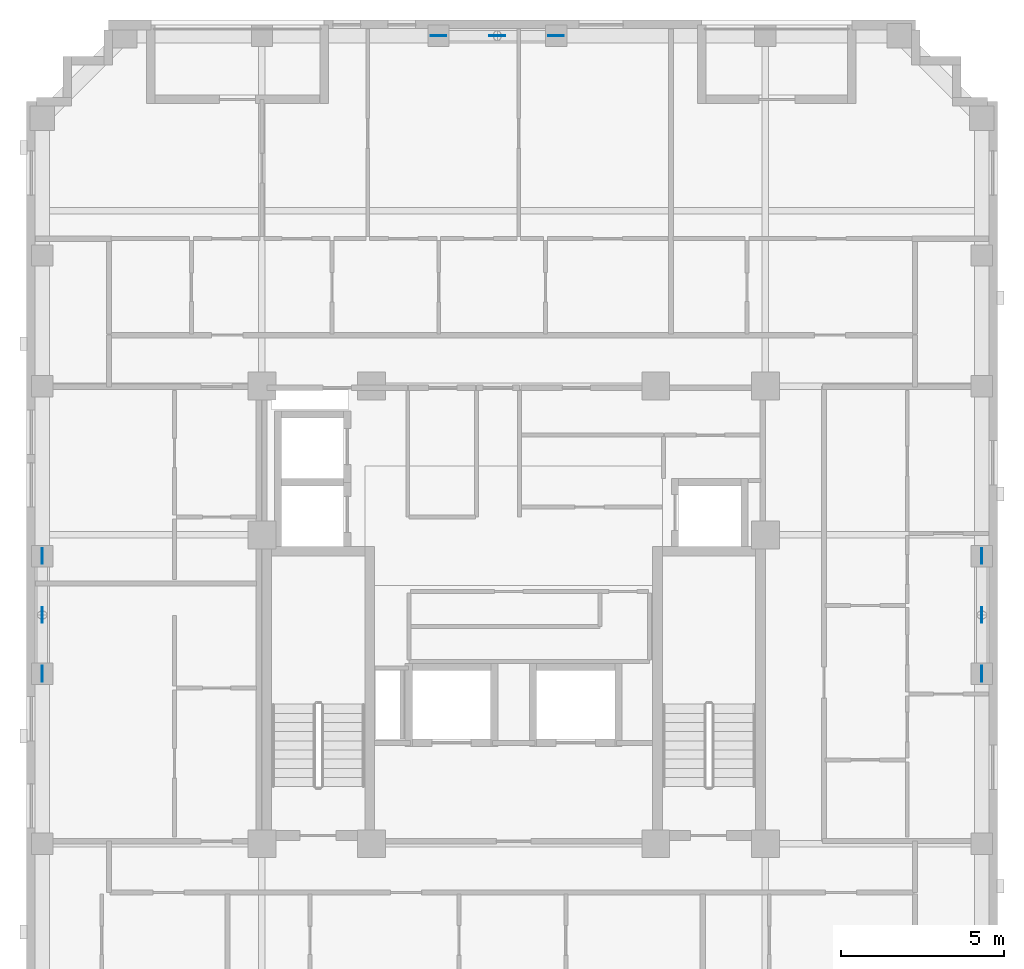
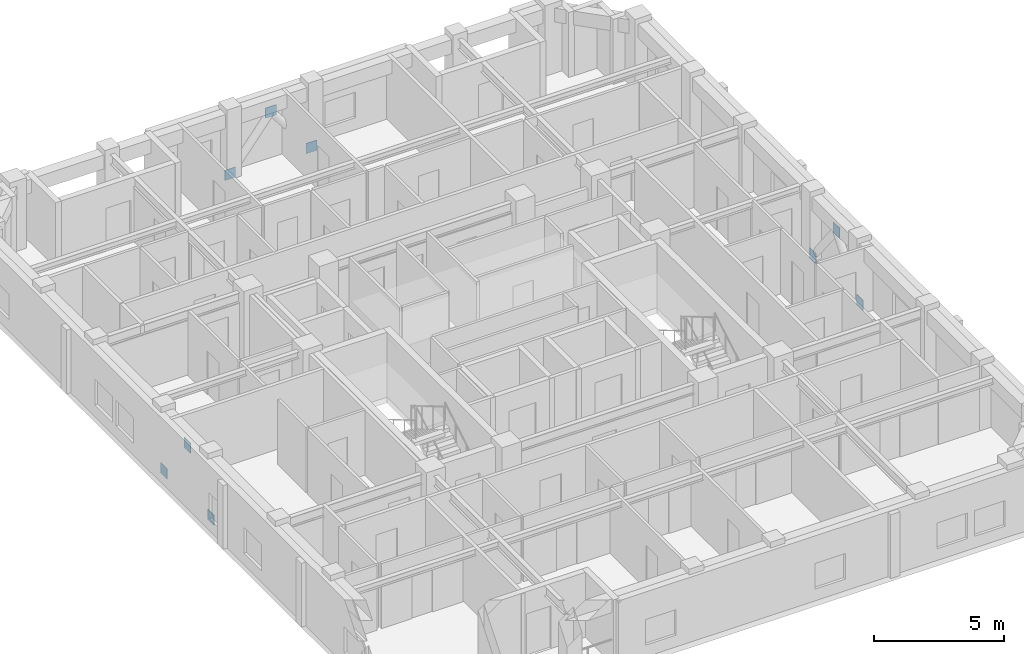
# One storey, part 8 of 10: 9 discrete accessories.
"""IFC4 building model written with IfcOpenShell, lengths in metres."""

import ifcopenshell
import ifcopenshell.guid

model = None  # the IFC model being written
_history = None  # IfcOwnerHistory: only IFC2X3 demands one
_inside = {}  # id of a spatial element -> (the spatial element, [elements in it])
_under = {}  # id of a project, library or spatial element -> (it, [spatial elements below it])
_declared = {}  # id of a project -> (the project, [libraries it declares])
_typed = {}  # id of a type object -> (the type object, [elements of that type])
_made_of = {}  # id of a material, layer set ... -> (it, [elements and type objects made of it])


def new_model(schema):
    """Start an empty IFC model of exactly this schema.

    Asked for "IFC4X3", IfcOpenShell would pick the latest addendum, in which some entities
    have other attributes; the version numbers below select the first issue.
    IFC2X3 requires an IfcOwnerHistory on every rooted entity: one is made here for all.
    """
    global model, _history
    if schema == "IFC4X3":
        model = ifcopenshell.file(schema_version=(4, 3, 0, 0))
    else:
        model = ifcopenshell.file(schema=schema)
    _inside.clear()
    _under.clear()
    _declared.clear()
    _typed.clear()
    _made_of.clear()
    _history = None
    if model.schema == "IFC2X3":
        org = make("IfcOrganization", Name="unknown")
        user = make(
            "IfcPersonAndOrganization",
            ThePerson=make("IfcPerson", FamilyName="unknown"),
            TheOrganization=org,
        )
        app = make(
            "IfcApplication",
            ApplicationDeveloper=org,
            Version="unknown",
            ApplicationFullName="unknown",
            ApplicationIdentifier="unknown",
        )
        _history = make(
            "IfcOwnerHistory",
            OwningUser=user,
            OwningApplication=app,
            ChangeAction="ADDED",
            CreationDate=0,
        )
    return model


def make(cls, **values):
    """One entity of the class cls with the attributes given. An attribute that is None is left unset."""
    return model.create_entity(
        cls, **{name: value for name, value in values.items() if value is not None}
    )


def rooted(cls, **values):
    """An entity with a GlobalId (a new one), such as an element, a storey or a relation."""
    return make(cls, GlobalId=ifcopenshell.guid.new(), OwnerHistory=_history, **values)


def si_unit(unit_type, name, prefix=None):
    """IfcSIUnit, for example si_unit("LENGTHUNIT", "METRE", prefix="MILLI")."""
    return make("IfcSIUnit", UnitType=unit_type, Prefix=prefix, Name=name)


def derived_unit(unit_type, elements):
    """IfcDerivedUnit: a product of units, each with its exponent."""
    return make(
        "IfcDerivedUnit",
        Elements=[
            make("IfcDerivedUnitElement", Unit=unit, Exponent=power)
            for unit, power in elements
        ],
        UnitType=unit_type,
    )


def assignment(units):
    """IfcUnitAssignment: the units of a project."""
    return None if units is None else make("IfcUnitAssignment", Units=units)


def point(xyz):
    """IfcCartesianPoint."""
    return None if xyz is None else make("IfcCartesianPoint", Coordinates=xyz)


def direction(xyz):
    """IfcDirection."""
    return None if xyz is None else make("IfcDirection", DirectionRatios=xyz)


def frame(location, z_axis=None, x_axis=None):
    """IfcAxis2Placement3D, a coordinate frame: its origin and axes. An axis left out is left unset."""
    return make(
        "IfcAxis2Placement3D",
        Location=point(location),
        Axis=direction(z_axis),
        RefDirection=direction(x_axis),
    )


def frame_2d(location, x_axis=None):
    """IfcAxis2Placement2D, a coordinate frame in the plane: its origin and x axis."""
    return make(
        "IfcAxis2Placement2D", Location=point(location), RefDirection=direction(x_axis)
    )


def origin():
    """The frame at (0, 0, 0) with its axes left unset."""
    return frame((0.0, 0.0, 0.0))


def origin_2d():
    """The frame at (0, 0) in the plane with its x axis left unset."""
    return frame_2d((0.0, 0.0))


def place(relative_to, where):
    """IfcLocalPlacement: puts the frame where relative to a parent placement (None: the world)."""
    return make(
        "IfcLocalPlacement", PlacementRelTo=relative_to, RelativePlacement=where
    )


def context(
    kind, dimensions, precision=None, world=None, true_north=None, identifier=None
):
    """IfcGeometricRepresentationContext, for example the 3D "Model" context."""
    return make(
        "IfcGeometricRepresentationContext",
        ContextIdentifier=identifier,
        ContextType=kind,
        CoordinateSpaceDimension=dimensions,
        Precision=precision,
        WorldCoordinateSystem=world,
        TrueNorth=true_north,
    )


def subcontext(parent, identifier, kind, view, scale=None):
    """IfcGeometricRepresentationSubContext, for example "Body" below "Model"."""
    return make(
        "IfcGeometricRepresentationSubContext",
        ContextIdentifier=identifier,
        ContextType=kind,
        ParentContext=parent,
        TargetScale=scale,
        TargetView=view,
    )


def project(units=None, contexts=None):
    """IfcProject with its units and contexts."""
    return rooted(
        "IfcProject",
        Name="project",
        RepresentationContexts=contexts,
        UnitsInContext=assignment(units),
    )


def spatial(cls, under=None, at=None, **own):
    """A site, building, storey or space (cls), placed at a placement, below another one or the project."""
    s = rooted(cls, ObjectPlacement=at, **own)
    if under is not None:
        _under.setdefault(under.id(), (under, []))[1].append(s)
    return s


def profile(cls, at=None, kind="AREA", **sizes):
    """A parametric profile (cls). Its sizes go by their IFC names, for example OverallWidth=200.0."""
    return make(cls, ProfileType=kind, Position=at, **sizes)


def rectangle(**sizes):
    """IfcRectangleProfileDef."""
    return profile("IfcRectangleProfileDef", **sizes)


def extrude(swept, where, along, depth):
    """IfcExtrudedAreaSolid: the profile swept, set in the frame where, extruded along a direction by depth."""
    return make(
        "IfcExtrudedAreaSolid",
        SweptArea=swept,
        Position=where,
        ExtrudedDirection=direction(along),
        Depth=depth,
    )


def shape(context_of_items, identifier, shape_type, items):
    """IfcShapeRepresentation: the items that make up one representation, for example the "Body"."""
    return make(
        "IfcShapeRepresentation",
        ContextOfItems=context_of_items,
        RepresentationIdentifier=identifier,
        RepresentationType=shape_type,
        Items=items,
    )


def material(Name=None, Category=None):
    """IfcMaterial."""
    return make("IfcMaterial", Name=Name, Category=Category)


def layer(
    of_material, thickness, ventilated=None, Name=None, Category=None, Priority=None
):
    """IfcMaterialLayer: one layer of a wall or slab, of a material (None: an air gap)."""
    return make(
        "IfcMaterialLayer",
        Material=of_material,
        LayerThickness=thickness,
        IsVentilated=ventilated,
        Name=Name,
        Category=Category,
        Priority=Priority,
    )


def layer_set(layers, Name=None):
    """IfcMaterialLayerSet."""
    return make("IfcMaterialLayerSet", MaterialLayers=layers, LayerSetName=Name)


def made_of(thing, what):
    """Note that an element or type object is made of a material, layer set ...; save() writes the relation."""
    if what is not None:
        _made_of.setdefault(what.id(), (what, []))[1].append(thing)
    return thing


def type_object(cls, material=None, **own):
    """A type object (cls), such as IfcWallType, which elements share."""
    return made_of(rooted(cls, **own), material)


def element(
    cls,
    number,
    at=None,
    inside=None,
    cuts=None,
    type_object=None,
    material=None,
    context=None,
    identifier="Body",
    shape_type=None,
    held_by="IfcProductDefinitionShape",
    body=None,
    shapes=None,
    **own,
):
    """One element of the class cls, such as IfcWall. Its Tag is "e" and its number.

    at: its placement. inside: the storey or other place that contains it. cuts: it is an
    opening in that element (IfcRelVoidsElement). A single representation is given by context,
    identifier, shape_type and body (its items); several are given by shapes. held_by: the class
    of the entity that holds the representations. save() writes the other relations.
    """
    e = rooted(cls, Tag="e%d" % number, ObjectPlacement=at, **own)
    if body is not None:
        shapes = [shape(context, identifier, shape_type, body)]
    if shapes is not None:
        e.Representation = make(held_by, Representations=shapes)
    if inside is not None:
        _inside.setdefault(inside.id(), (inside, []))[1].append(e)
    if cuts is not None:
        rooted(
            "IfcRelVoidsElement", RelatingBuildingElement=cuts, RelatedOpeningElement=e
        )
    if type_object is not None:
        _typed.setdefault(type_object.id(), (type_object, []))[1].append(e)
    return made_of(e, material)


def aggregate(whole, parts):
    """IfcRelAggregates: a whole, such as a stair, and the parts it consists of."""
    return rooted("IfcRelAggregates", RelatingObject=whole, RelatedObjects=parts)


def save(model, path):
    """Write the relations noted so far, then the file.

    IfcRelAggregates (storeys below a building ...), IfcRelContainedInSpatialStructure (elements
    in a storey), IfcRelDefinesByType, IfcRelAssociatesMaterial and IfcRelDeclares: one each for
    every whole, place, type object, material and project.
    """
    for whole, parts in _under.values():
        aggregate(whole, parts)
    for where, things in _inside.values():
        rooted(
            "IfcRelContainedInSpatialStructure",
            RelatedElements=things,
            RelatingStructure=where,
        )
    for kind, things in _typed.values():
        rooted("IfcRelDefinesByType", RelatedObjects=things, RelatingType=kind)
    for what, things in _made_of.values():
        rooted("IfcRelAssociatesMaterial", RelatedObjects=things, RelatingMaterial=what)
    for by, libraries in _declared.values():
        rooted("IfcRelDeclares", RelatingContext=by, RelatedDefinitions=libraries)
    model.write(path)


model = new_model("IFC4")

# Units and contexts
model_context = context("Model", 3, precision=1e-05, world=origin(), true_north=direction((0.0, 1.0)))
body_context = subcontext(model_context, "Body", "Model", "MODEL_VIEW")
ifc_project = project(units=[si_unit("LENGTHUNIT", "METRE"), si_unit("AREAUNIT", "SQUARE_METRE"), si_unit("VOLUMEUNIT", "CUBIC_METRE"), si_unit("PLANEANGLEUNIT", "RADIAN"), si_unit("MASSUNIT", "GRAM", prefix="KILO"), derived_unit("THERMALTRANSMITTANCEUNIT", [(si_unit("MASSUNIT", "GRAM", prefix="KILO"), 1), (si_unit("TIMEUNIT", "SECOND"), -3), (si_unit("THERMODYNAMICTEMPERATUREUNIT", "KELVIN"), -1)])], contexts=[model_context])

# Site, building, storey
site_placement = place(None, origin())
site = spatial("IfcSite", under=ifc_project, at=site_placement, CompositionType="ELEMENT")
building_placement = place(site_placement, origin())
building = spatial("IfcBuilding", under=site, at=building_placement, Name="Korrvale Station Residences", CompositionType="ELEMENT")
storey_placement = place(building_placement, frame((0.0, 0.0, 200.800048828125)))
storey = spatial("IfcBuildingStorey", under=building, at=storey_placement, Name="L58", CompositionType="ELEMENT", Elevation=200.800048828125)

# Discrete accessories
ifc_material = material(Name="Steel S355", Category="steel")
ifc_layer = layer(ifc_material, 0.02490234375, Name="Steel S355")
ifc_layer_set = layer_set([ifc_layer], Name="Steel S355")
discrete_accessory_type = type_object("IfcDiscreteAccessoryType", Name="ACC-GUSSET-25", PredefinedType="BRACKET", material=ifc_layer_set)
for number, where, z_axis, x_axis, name in (
    (1, (23.199951171875, 39.719970703125, -0.219970703125), (0.0, 0.0, 1.0), (1.0, 0.0, 0.0), "L58 N Brace End Gusset Connection A"),
    (2, (26.800048828125, 39.719970703125, -0.219970703125), (0.0, 0.0, 1.0), (1.0, 0.0, 0.0), "L58 N Brace End Gusset Connection B"),
    (3, (25.0, 39.719970703125, 2.070068359375), (0.0, 0.0, 1.0), (1.0, 0.0, 0.0), "L58 N Brace End Gusset Connection M"),
    (4, (11.080078125, 20.199951171875, -0.219970703125), (0.0, 0.0, 1.0), (0.0, 1.0, 0.0), "L58 W Brace End Gusset Connection A"),
    (5, (11.080078125, 23.800048828125, -0.219970703125), (0.0, 0.0, 1.0), (0.0, 1.0, 0.0), "L58 W Brace End Gusset Connection B"),
    (6, (11.080078125, 22.0, 2.070068359375), (0.0, 0.0, 1.0), (0.0, 1.0, 0.0), "L58 W Brace End Gusset Connection M"),
    (7, (39.820068359375, 20.199951171875, -0.219970703125), (0.0, 0.0, 1.0), (0.0, 1.0, 0.0), "L58 E Brace End Gusset Connection A"),
    (8, (39.820068359375, 23.800048828125, -0.219970703125), (0.0, 0.0, 1.0), (0.0, 1.0, 0.0), "L58 E Brace End Gusset Connection B"),
    (9, (39.820068359375, 22.0, 2.070068359375), (0.0, 0.0, 1.0), (0.0, 1.0, 0.0), "L58 E Brace End Gusset Connection M"),
):
    element("IfcDiscreteAccessory", number, at=place(storey_placement, frame(where, z_axis=z_axis, x_axis=x_axis)), inside=storey, type_object=discrete_accessory_type, Name=name, PredefinedType="BRACKET", context=body_context, shape_type="SweptSolid", body=[
        extrude(rectangle(XDim=0.47998046875, YDim=0.02490234375, at=origin_2d()), origin(), (0.0, 0.0, 1.0), 0.47998046875),
    ])

save(model, "model.ifc")
